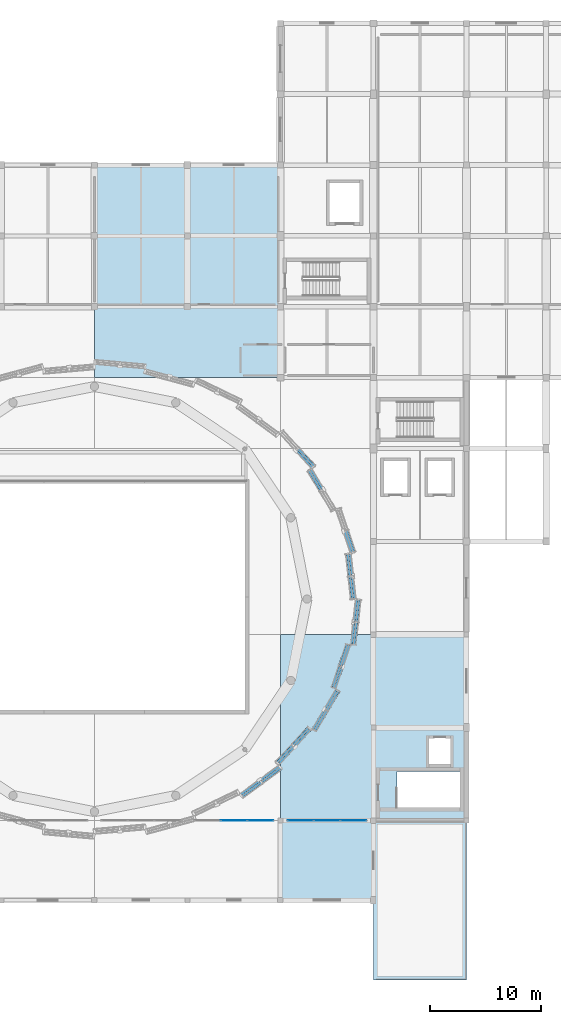
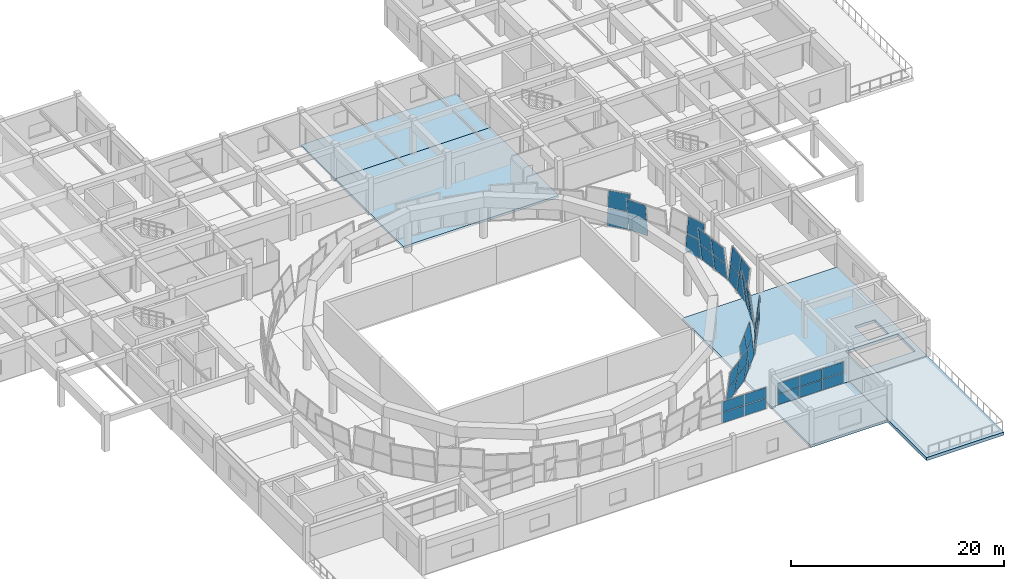
# One storey, part 26 of 40: 40 plates, 5 slabs, 11 elements without a shape of their own.
"""IFC4 building model written with IfcOpenShell, lengths in metres."""

from ifc_helpers import new_model, si_unit, direction, frame, origin, origin_2d, place, context, subcontext, project, spatial, polyline, rectangle, outline, extrude, material, layer, layer_set, type_object, element, aggregate, save


model = new_model("IFC4")

# Units and contexts
model_context = context("Model", 3, precision=1e-05, world=origin(), true_north=direction((0.0, 1.0)))
body_context = subcontext(model_context, "Body", "Model", "MODEL_VIEW")
ifc_project = project(units=[si_unit("LENGTHUNIT", "METRE"), si_unit("AREAUNIT", "SQUARE_METRE"), si_unit("VOLUMEUNIT", "CUBIC_METRE"), si_unit("PLANEANGLEUNIT", "RADIAN"), si_unit("MASSUNIT", "GRAM", prefix="KILO")], contexts=[model_context])

# Site, building, storey
site_placement = place(None, origin())
site = spatial("IfcSite", under=ifc_project, at=site_placement, CompositionType="ELEMENT")
building_placement = place(site_placement, origin())
building = spatial("IfcBuilding", under=site, at=building_placement, Name="Korsvaeld Concert Hall", CompositionType="ELEMENT")
storey_placement = place(building_placement, frame((0.0, 0.0, 13.199951171875)))
storey = spatial("IfcBuildingStorey", under=building, at=storey_placement, Name="L03", CompositionType="ELEMENT", Elevation=13.199951171875)

# Curtain wall, plates
ifc_material_1 = material(Name="Anodised bronze and ceramic-fritted safety glass", Category="glass")
curtain_wall_type_1 = type_object("IfcCurtainWallType", Name="CW-TYPE-09", PredefinedType="USERDEFINED", material=ifc_material_1)
curtain_wall_1_placement = place(storey_placement, origin())
curtain_wall_1 = element("IfcCurtainWall", 1, at=curtain_wall_1_placement, inside=storey, type_object=curtain_wall_type_1, Name="Glazed foyer acoustic screen L03-41", ObjectType="CURTAIN WALL", PredefinedType="USERDEFINED")
ifc_material_2 = material(Name="Clear acoustic triple safety glazing", Category="glass")
ifc_layer_1 = layer(ifc_material_2, 0.0439453125)
ifc_layer_set_1 = layer_set([ifc_layer_1], Name="Clear acoustic triple safety glazing")
plate_type_1 = type_object("IfcPlateType", Name="CWP-CLEAR-44", PredefinedType="CURTAIN_PANEL", material=ifc_layer_set_1)
plate_1_placement = place(storey_placement, frame((96.60009765625, 43.199951171875, 0.06005859375), z_axis=(0.0, 0.0, 1.0), x_axis=(1.0, 0.0, 0.0)))
plate_1 = element("IfcPlate", 2, at=plate_1_placement, type_object=plate_type_1, Name="CW-09 panel 2.1", PredefinedType="CURTAIN_PANEL", context=body_context, shape_type="SweptSolid", body=[
    extrude(rectangle(XDim=2.340087890625, YDim=0.0439453125, at=origin_2d()), origin(), (0.0, 0.0, 1.0), 1.18505859375),
])
plate_2_placement = place(storey_placement, frame((96.60009765625, 43.199951171875, 1.304931640625), z_axis=(0.0, 0.0, 1.0), x_axis=(1.0, 0.0, 0.0)))
plate_2 = element("IfcPlate", 3, at=plate_2_placement, type_object=plate_type_1, Name="CW-09 panel 2.2", PredefinedType="CURTAIN_PANEL", context=body_context, shape_type="SweptSolid", body=[
    extrude(rectangle(XDim=2.340087890625, YDim=0.0439453125, at=origin_2d()), origin(), (0.0, 0.0, 1.0), 1.18505859375),
])
plate_3_placement = place(storey_placement, frame((98.985107421875, 43.199951171875, 0.06005859375), z_axis=(0.0, 0.0, 1.0), x_axis=(1.0, 0.0, 0.0)))
plate_3 = element("IfcPlate", 4, at=plate_3_placement, type_object=plate_type_1, Name="CW-09 panel 3.1", PredefinedType="CURTAIN_PANEL", context=body_context, shape_type="SweptSolid", body=[
    extrude(rectangle(XDim=2.31005859375, YDim=0.0439453125, at=origin_2d()), origin(), (0.0, 0.0, 1.0), 1.18505859375),
])
plate_4_placement = place(storey_placement, frame((98.985107421875, 43.199951171875, 1.304931640625), z_axis=(0.0, 0.0, 1.0), x_axis=(1.0, 0.0, 0.0)))
plate_4 = element("IfcPlate", 5, at=plate_4_placement, type_object=plate_type_1, Name="CW-09 panel 3.2", PredefinedType="CURTAIN_PANEL", context=body_context, shape_type="SweptSolid", body=[
    extrude(rectangle(XDim=2.31005859375, YDim=0.0439453125, at=origin_2d()), origin(), (0.0, 0.0, 1.0), 1.18505859375),
])
aggregate(curtain_wall_1, [plate_1, plate_2, plate_3, plate_4])

curtain_wall_type_2 = type_object("IfcCurtainWallType", Name="CW-TYPE-10", PredefinedType="USERDEFINED", material=ifc_material_1)
curtain_wall_2_placement = place(storey_placement, origin())
curtain_wall_2 = element("IfcCurtainWall", 6, at=curtain_wall_2_placement, inside=storey, type_object=curtain_wall_type_2, Name="Glazed foyer acoustic screen L03-42", ObjectType="CURTAIN WALL", PredefinedType="USERDEFINED")
plate_5_placement = place(storey_placement, frame((102.614990234375, 43.199951171875, 0.06005859375), z_axis=(0.0, 0.0, 1.0), x_axis=(1.0, 0.0, 0.0)))
plate_5 = element("IfcPlate", 7, at=plate_5_placement, type_object=plate_type_1, Name="CW-10 panel 1.1", PredefinedType="CURTAIN_PANEL", context=body_context, shape_type="SweptSolid", body=[
    extrude(rectangle(XDim=2.31005859375, YDim=0.0439453125, at=origin_2d()), origin(), (0.0, 0.0, 1.0), 1.18505859375),
])
plate_6_placement = place(storey_placement, frame((102.614990234375, 43.199951171875, 1.304931640625), z_axis=(0.0, 0.0, 1.0), x_axis=(1.0, 0.0, 0.0)))
plate_6 = element("IfcPlate", 8, at=plate_6_placement, type_object=plate_type_1, Name="CW-10 panel 1.2", PredefinedType="CURTAIN_PANEL", context=body_context, shape_type="SweptSolid", body=[
    extrude(rectangle(XDim=2.31005859375, YDim=0.0439453125, at=origin_2d()), origin(), (0.0, 0.0, 1.0), 1.18505859375),
])
plate_7_placement = place(storey_placement, frame((105.0, 43.199951171875, 0.06005859375), z_axis=(0.0, 0.0, 1.0), x_axis=(1.0, 0.0, 0.0)))
plate_7 = element("IfcPlate", 9, at=plate_7_placement, type_object=plate_type_1, Name="CW-10 panel 2.1", PredefinedType="CURTAIN_PANEL", context=body_context, shape_type="SweptSolid", body=[
    extrude(rectangle(XDim=2.340087890625, YDim=0.0439453125, at=origin_2d()), origin(), (0.0, 0.0, 1.0), 1.18505859375),
])
plate_8_placement = place(storey_placement, frame((105.0, 43.199951171875, 1.304931640625), z_axis=(0.0, 0.0, 1.0), x_axis=(1.0, 0.0, 0.0)))
plate_8 = element("IfcPlate", 10, at=plate_8_placement, type_object=plate_type_1, Name="CW-10 panel 2.2", PredefinedType="CURTAIN_PANEL", context=body_context, shape_type="SweptSolid", body=[
    extrude(rectangle(XDim=2.340087890625, YDim=0.0439453125, at=origin_2d()), origin(), (0.0, 0.0, 1.0), 1.18505859375),
])
plate_9_placement = place(storey_placement, frame((107.385009765625, 43.199951171875, 0.06005859375), z_axis=(0.0, 0.0, 1.0), x_axis=(1.0, 0.0, 0.0)))
plate_9 = element("IfcPlate", 11, at=plate_9_placement, type_object=plate_type_1, Name="CW-10 panel 3.1", PredefinedType="CURTAIN_PANEL", context=body_context, shape_type="SweptSolid", body=[
    extrude(rectangle(XDim=2.31005859375, YDim=0.0439453125, at=origin_2d()), origin(), (0.0, 0.0, 1.0), 1.18505859375),
])
plate_10_placement = place(storey_placement, frame((107.385009765625, 43.199951171875, 1.304931640625), z_axis=(0.0, 0.0, 1.0), x_axis=(1.0, 0.0, 0.0)))
plate_10 = element("IfcPlate", 12, at=plate_10_placement, type_object=plate_type_1, Name="CW-10 panel 3.2", PredefinedType="CURTAIN_PANEL", context=body_context, shape_type="SweptSolid", body=[
    extrude(rectangle(XDim=2.31005859375, YDim=0.0439453125, at=origin_2d()), origin(), (0.0, 0.0, 1.0), 1.18505859375),
])
aggregate(curtain_wall_2, [plate_5, plate_6, plate_7, plate_8, plate_9, plate_10])

curtain_wall_type_3 = type_object("IfcCurtainWallType", Name="CW-TYPE-01", PredefinedType="USERDEFINED", material=ifc_material_1)
curtain_wall_3_placement = place(storey_placement, origin())
curtain_wall_3 = element("IfcCurtainWall", 13, at=curtain_wall_3_placement, inside=storey, type_object=curtain_wall_type_3, Name="Crystal curtain-wall facet L03 F01", ObjectType="CURTAIN WALL", PredefinedType="USERDEFINED")
ifc_material_3 = material(Name="Translucent ceramic-fritted crystal safety glass", Category="glass")
ifc_layer_2 = layer(ifc_material_3, 0.035888671875)
ifc_layer_set_2 = layer_set([ifc_layer_2], Name="Translucent ceramic-fritted crystal safety glass")
plate_type_2 = type_object("IfcPlateType", Name="CWP-CRYSTAL-36", PredefinedType="CURTAIN_PANEL", material=ifc_layer_set_2)
plate_11_placement = place(storey_placement, frame((107.5849609375, 63.27392578125, 0.06005859375), z_axis=(0.987662711113, 0.108233632097, 0.113171771918), x_axis=(-0.108933482058, 0.994049041289, 0.0)))
plate_11 = element("IfcPlate", 14, at=plate_11_placement, type_object=plate_type_2, Name="CW-CRYS-L03-F01 ceramic-fritted crystal panel 1.1", PredefinedType="CURTAIN_PANEL", context=body_context, shape_type="SweptSolid", body=[
    extrude(outline(polyline([(0.0, 0.0), (1.967764774426495, 0.0), (1.972192281123818, 1.8620605807949135), (0.004427506697322853, 1.8620605807949135), (0.0, 0.0)])), frame((0.0, 0.0, 0.01806640625)), (0.0, 0.0, -1.0), 0.035888671875),
])
plate_12_placement = place(storey_placement, frame((107.3681640625, 63.2548828125, 1.969970703125), z_axis=(0.987662642461, 0.108226870525, 0.113178837175), x_axis=(-0.108926851037, 0.99404976793, 7.59866e-07)))
plate_12 = element("IfcPlate", 15, at=plate_12_placement, type_object=plate_type_2, Name="CW-CRYS-L03-F01 ceramic-fritted crystal panel 1.2", PredefinedType="CURTAIN_PANEL", context=body_context, shape_type="SweptSolid", body=[
    extrude(outline(polyline([(0.0, 0.0), (1.9677647743821456, 0.0), (1.972192281168267, 1.8620605807478352), (0.0041848188544976635, 1.8620635907490142), (0.0, 0.0)])), frame((0.0, 0.0, 0.01806640625)), (0.0, 0.0, -1.0), 0.035888671875),
])
plate_13_placement = place(storey_placement, frame((107.3623046875, 65.3046875, 0.06005859375), z_axis=(0.987662711113, 0.108233632097, 0.113171771918), x_axis=(-0.108933482058, 0.994049041289, 0.0)))
plate_13 = element("IfcPlate", 16, at=plate_13_placement, type_object=plate_type_2, Name="CW-CRYS-L03-F01 ceramic-fritted crystal panel 2.1", PredefinedType="CURTAIN_PANEL", context=body_context, shape_type="SweptSolid", body=[
    extrude(outline(polyline([(0.0, 0.0), (1.967764774426495, 0.0), (1.972192281123818, 1.8620605807949135), (0.004427506697322853, 1.8620605807949135), (0.0, 0.0)])), frame((0.0, 0.0, 0.01806640625)), (0.0, 0.0, -1.0), 0.035888671875),
])
plate_14_placement = place(storey_placement, frame((107.1455078125, 65.285400390625, 1.969970703125), z_axis=(0.987662711113, 0.108233632097, 0.113171771918), x_axis=(-0.108933482058, 0.994049041289, 0.0)))
plate_14 = element("IfcPlate", 17, at=plate_14_placement, type_object=plate_type_2, Name="CW-CRYS-L03-F01 ceramic-fritted crystal panel 2.2", PredefinedType="CURTAIN_PANEL", context=body_context, shape_type="SweptSolid", body=[
    extrude(outline(polyline([(0.0, 0.0), (1.967764774426495, 0.0), (1.972192281123818, 1.8620605807949135), (0.004427506697322853, 1.8620605807949135), (0.0, 0.0)])), frame((0.0, 0.0, 0.01806640625)), (0.0, 0.0, -1.0), 0.035888671875),
])
aggregate(curtain_wall_3, [plate_11, plate_12, plate_13, plate_14])

curtain_wall_type_4 = type_object("IfcCurtainWallType", Name="CW-TYPE-02", PredefinedType="USERDEFINED", material=ifc_material_1)
curtain_wall_4_placement = place(storey_placement, origin())
curtain_wall_4 = element("IfcCurtainWall", 18, at=curtain_wall_4_placement, inside=storey, type_object=curtain_wall_type_4, Name="Crystal curtain-wall facet L03 F02", ObjectType="CURTAIN WALL", PredefinedType="USERDEFINED")
plate_15_placement = place(storey_placement, frame((107.129150390625, 67.40869140625, 0.06005859375), z_axis=(0.941378575992, 0.317863332898, -0.113001231244), x_axis=(-0.319912420616, 0.947447118912, 0.0)))
plate_15 = element("IfcPlate", 19, at=plate_15_placement, type_object=plate_type_2, Name="CW-CRYS-L03-F02 ceramic-fritted crystal panel 1.1", PredefinedType="CURTAIN_PANEL", context=body_context, shape_type="SweptSolid", body=[
    extrude(outline(polyline([(0.0, 0.0), (1.9864750660546802, 1.3877787807814457e-17), (1.9739221973095524, 1.862024204527748), (-0.012552868745127732, 1.862024204527748), (0.0, 0.0)])), frame((0.0, 0.0, 0.01806640625)), (0.0, 0.0, -1.0), 0.035888671875),
])
plate_16_placement = place(storey_placement, frame((107.339111328125, 67.466064453125, 1.969970703125), z_axis=(0.941366104364, 0.317900359323, -0.113000969451), x_axis=(-0.319949676143, 0.947434538497, 0.0)))
plate_16 = element("IfcPlate", 20, at=plate_16_placement, type_object=plate_type_2, Name="CW-CRYS-L03-F02 ceramic-fritted crystal panel 1.2", PredefinedType="CURTAIN_PANEL", context=body_context, shape_type="SweptSolid", body=[
    extrude(outline(polyline([(0.0, 0.0), (1.9862437572585203, 0.0), (1.9736826146833244, 1.8620241487311948), (-0.012561142575196048, 1.8620241487311948), (0.0, 0.0)])), frame((0.0, 0.0, 0.01806640625)), (0.0, 0.0, -1.0), 0.035888671875),
])
aggregate(curtain_wall_4, [plate_15, plate_16])

curtain_wall_type_5 = type_object("IfcCurtainWallType", Name="CW-TYPE-03", PredefinedType="USERDEFINED", material=ifc_material_1)
curtain_wall_5_placement = place(storey_placement, origin())
curtain_wall_5 = element("IfcCurtainWall", 21, at=curtain_wall_5_placement, inside=storey, type_object=curtain_wall_type_5, Name="Crystal curtain-wall facet L03 F03", ObjectType="CURTAIN WALL", PredefinedType="USERDEFINED")
plate_17_placement = place(storey_placement, frame((104.687744140625, 73.1748046875, 0.06005859375), z_axis=(0.853874694268, 0.508121495281, 0.11274108622), x_axis=(-0.511381861684, 0.859353589357, 0.0)))
plate_17 = element("IfcPlate", 22, at=plate_17_placement, type_object=plate_type_2, Name="CW-CRYS-L03-F03 ceramic-fritted crystal panel 2.1", PredefinedType="CURTAIN_PANEL", context=body_context, shape_type="SweptSolid", body=[
    extrude(outline(polyline([(0.0, 0.0), (2.0199366887482033, 2.7755575615628914e-17), (2.0386029109089057, 1.8619688254406463), (0.018666222160702132, 1.8619688254406463), (0.0, 0.0)])), frame((0.0, 0.0, 0.01806640625)), (0.0, 0.0, -1.0), 0.035888671875),
])
plate_18_placement = place(storey_placement, frame((104.49169921875, 73.08056640625, 1.969970703125), z_axis=(0.853914504774, 0.508049407558, 0.112764435958), x_axis=(-0.511311580092, 0.859395408399, 9.281327e-06)))
plate_18 = element("IfcPlate", 23, at=plate_18_placement, type_object=plate_type_2, Name="CW-CRYS-L03-F03 ceramic-fritted crystal panel 2.2", PredefinedType="CURTAIN_PANEL", context=body_context, shape_type="SweptSolid", body=[
    extrude(outline(polyline([(0.0, 0.0), (2.019936681906196, -1.3877787807814457e-17), (2.0388127209372526, 1.8619547463895518), (0.018791057627661603, 1.8619924832573516), (0.0, 0.0)])), frame((0.0, 0.0, 0.01806640625)), (0.0, 0.0, -1.0), 0.035888671875),
])
aggregate(curtain_wall_5, [plate_17, plate_18])

curtain_wall_type_6 = type_object("IfcCurtainWallType", Name="CW-TYPE-04", PredefinedType="USERDEFINED", material=ifc_material_1)
curtain_wall_6_placement = place(storey_placement, origin())
curtain_wall_6 = element("IfcCurtainWall", 24, at=curtain_wall_6_placement, inside=storey, type_object=curtain_wall_type_6, Name="Crystal curtain-wall facet L03 F04", ObjectType="CURTAIN WALL", PredefinedType="USERDEFINED")
plate_19_placement = place(storey_placement, frame((103.57763671875, 75.03759765625, 0.06005859375), z_axis=(0.733586029487, 0.670210028542, -0.112561338758), x_axis=(-0.674496604142, 0.738277949692, 0.0)))
plate_19 = element("IfcPlate", 25, at=plate_19_placement, type_object=plate_type_2, Name="CW-CRYS-L03-F04 ceramic-fritted crystal panel 1.1", PredefinedType="CURTAIN_PANEL", context=body_context, shape_type="SweptSolid", body=[
    extrude(outline(polyline([(0.0, 0.0), (2.0631705985682665, 0.0), (2.0410082866452655, 1.861930638647585), (-0.02216231192300118, 1.861930638647585), (0.0, 0.0)])), frame((0.0, 0.0, 0.01806640625)), (0.0, 0.0, -1.0), 0.035888671875),
])
plate_20_placement = place(storey_placement, frame((103.752685546875, 75.166748046875, 1.969970703125), z_axis=(0.733586029487, 0.670210028542, -0.112561338758), x_axis=(-0.674496604142, 0.738277949692, 0.0)))
plate_20 = element("IfcPlate", 26, at=plate_20_placement, type_object=plate_type_2, Name="CW-CRYS-L03-F04 ceramic-fritted crystal panel 1.2", PredefinedType="CURTAIN_PANEL", context=body_context, shape_type="SweptSolid", body=[
    extrude(outline(polyline([(0.0, 0.0), (2.0631705985682665, 0.0), (2.0410082866452655, 1.861930638647585), (-0.02216231192300118, 1.861930638647585), (0.0, 0.0)])), frame((0.0, 0.0, 0.01806640625)), (0.0, 0.0, -1.0), 0.035888671875),
])
aggregate(curtain_wall_6, [plate_19, plate_20])

curtain_wall_7_placement = place(storey_placement, origin())
curtain_wall_7 = element("IfcCurtainWall", 27, at=curtain_wall_7_placement, inside=storey, type_object=curtain_wall_type_6, Name="Crystal curtain-wall facet L03 F28", ObjectType="CURTAIN WALL", PredefinedType="USERDEFINED")
plate_21_placement = place(storey_placement, frame((97.176513671875, 45.6123046875, 0.06005859375), z_axis=(0.589669995592, -0.799761139052, -0.112567387646), x_axis=(0.804877211976, 0.593441381785, 5.210927e-06)))
plate_21 = element("IfcPlate", 28, at=plate_21_placement, type_object=plate_type_2, Name="CW-CRYS-L03-F28 ceramic-fritted crystal panel 1.1", PredefinedType="CURTAIN_PANEL", context=body_context, shape_type="SweptSolid", body=[
    extrude(outline(polyline([(0.0, 0.0), (2.108957953588313, 1.3877787807814457e-17), (2.1310419051459903, 1.8619207469752996), (0.021939068407827573, 1.8619428675802447), (0.0, 0.0)])), frame((0.0, 0.0, 0.01806640625)), (0.0, 0.0, -1.0), 0.035888671875),
])
plate_22_placement = place(storey_placement, frame((97.3232421875, 45.45166015625, 1.969970703125), z_axis=(0.589599242948, -0.799800689785, -0.112656954223), x_axis=(0.804924629662, 0.593377064395, -3.844652e-06)))
plate_22 = element("IfcPlate", 29, at=plate_22_placement, type_object=plate_type_2, Name="CW-CRYS-L03-F28 ceramic-fritted crystal panel 1.2", PredefinedType="CURTAIN_PANEL", context=body_context, shape_type="SweptSolid", body=[
    extrude(outline(polyline([(0.0, 0.0), (2.108957954619865, 0.0), (2.1310935398822286, 1.8619591898005718), (0.02193907046020034, 1.8619428687244644), (0.0, 0.0)])), frame((0.0, 0.0, 0.01806640625)), (0.0, 0.0, -1.0), 0.035888671875),
])
plate_23_placement = place(storey_placement, frame((98.934326171875, 46.908203125, 0.06005859375), z_axis=(0.589631110409, -0.799786404735, -0.112591564685), x_axis=(0.804904507896, 0.593404358906, 0.0)))
plate_23 = element("IfcPlate", 30, at=plate_23_placement, type_object=plate_type_2, Name="CW-CRYS-L03-F28 ceramic-fritted crystal panel 2.1", PredefinedType="CURTAIN_PANEL", context=body_context, shape_type="SweptSolid", body=[
    extrude(outline(polyline([(0.0, 0.0), (2.1089579558479716, 0.0), (2.1312384127522934, 1.861937055626695), (0.02228045690432168, 1.861937055626695), (0.0, 0.0)])), frame((0.0, 0.0, 0.01806640625)), (0.0, 0.0, -1.0), 0.035888671875),
])
plate_24_placement = place(storey_placement, frame((99.0810546875, 46.74755859375, 1.969970703125), z_axis=(0.589606250178, -0.799810195203, -0.112552749416), x_axis=(0.804925146467, 0.59337636334, 3.840784e-06)))
plate_24 = element("IfcPlate", 31, at=plate_24_placement, type_object=plate_type_2, Name="CW-CRYS-L03-F28 ceramic-fritted crystal panel 2.2", PredefinedType="CURTAIN_PANEL", context=body_context, shape_type="SweptSolid", body=[
    extrude(outline(polyline([(0.0, 0.0), (2.109154469485147, -2.7755575615628914e-17), (2.131252808658941, 1.8619205774388161), (0.02229485410213064, 1.8619368818990785), (0.0, 0.0)])), frame((0.0, 0.0, 0.01806640625)), (0.0, 0.0, -1.0), 0.035888671875),
])
aggregate(curtain_wall_7, [plate_21, plate_22, plate_23, plate_24])

curtain_wall_type_7 = type_object("IfcCurtainWallType", Name="CW-TYPE-05", PredefinedType="USERDEFINED", material=ifc_material_1)
curtain_wall_8_placement = place(storey_placement, origin())
curtain_wall_8 = element("IfcCurtainWall", 32, at=curtain_wall_8_placement, inside=storey, type_object=curtain_wall_type_7, Name="Crystal curtain-wall facet L03 F29", ObjectType="CURTAIN WALL", PredefinedType="USERDEFINED")
plate_25_placement = place(storey_placement, frame((100.732666015625, 48.268798828125, 0.06005859375), z_axis=(0.733560792883, -0.670245760511, 0.112513037746), x_axis=(0.674529259268, 0.738248114367, -4.882916e-06)))
plate_25 = element("IfcPlate", 33, at=plate_25_placement, type_object=plate_type_2, Name="CW-CRYS-L03-F29 ceramic-fritted crystal panel 1.1", PredefinedType="CURTAIN_PANEL", context=body_context, shape_type="SweptSolid", body=[
    extrude(outline(polyline([(0.0, 0.0), (2.063335276520309, 1.3877787807814457e-17), (2.0411546604632567, 1.8619304185326642), (-0.022015936062113606, 1.8619101403917453), (0.0, 0.0)])), frame((0.0, 0.0, 0.01806640625)), (0.0, 0.0, -1.0), 0.035888671875),
])
plate_26_placement = place(storey_placement, frame((100.5576171875, 48.39794921875, 1.969970703125), z_axis=(0.733586029487, -0.670210028542, 0.112561338758), x_axis=(0.674496604142, 0.738277949692, 0.0)))
plate_26 = element("IfcPlate", 34, at=plate_26_placement, type_object=plate_type_2, Name="CW-CRYS-L03-F29 ceramic-fritted crystal panel 1.2", PredefinedType="CURTAIN_PANEL", context=body_context, shape_type="SweptSolid", body=[
    extrude(outline(polyline([(0.0, 0.0), (2.0631705985682665, 0.0), (2.0410082866452655, 1.861930638647585), (-0.02216231192300118, 1.861930638647585), (0.0, 0.0)])), frame((0.0, 0.0, 0.01806640625)), (0.0, 0.0, -1.0), 0.035888671875),
])
plate_27_placement = place(storey_placement, frame((102.175048828125, 49.847412109375, 0.06005859375), z_axis=(0.733586029487, -0.670210028542, 0.112561338758), x_axis=(0.674496604142, 0.738277949692, 0.0)))
plate_27 = element("IfcPlate", 35, at=plate_27_placement, type_object=plate_type_2, Name="CW-CRYS-L03-F29 ceramic-fritted crystal panel 2.1", PredefinedType="CURTAIN_PANEL", context=body_context, shape_type="SweptSolid", body=[
    extrude(outline(polyline([(0.0, 0.0), (2.0631705985682665, 0.0), (2.0410082866452655, 1.861930638647585), (-0.02216231192300118, 1.861930638647585), (0.0, 0.0)])), frame((0.0, 0.0, 0.01806640625)), (0.0, 0.0, -1.0), 0.035888671875),
])
plate_28_placement = place(storey_placement, frame((101.999755859375, 49.9765625, 1.969970703125), z_axis=(0.733586029487, -0.670210028542, 0.112561338758), x_axis=(0.674496604142, 0.738277949692, 0.0)))
plate_28 = element("IfcPlate", 36, at=plate_28_placement, type_object=plate_type_2, Name="CW-CRYS-L03-F29 ceramic-fritted crystal panel 2.2", PredefinedType="CURTAIN_PANEL", context=body_context, shape_type="SweptSolid", body=[
    extrude(outline(polyline([(0.0, 0.0), (2.0631705985682665, 0.0), (2.0410082866452655, 1.861930638647585), (-0.02216231192300118, 1.861930638647585), (0.0, 0.0)])), frame((0.0, 0.0, 0.01806640625)), (0.0, 0.0, -1.0), 0.035888671875),
])
aggregate(curtain_wall_8, [plate_25, plate_26, plate_27, plate_28])

curtain_wall_type_8 = type_object("IfcCurtainWallType", Name="CW-TYPE-06", PredefinedType="USERDEFINED", material=ifc_material_1)
curtain_wall_9_placement = place(storey_placement, origin())
curtain_wall_9 = element("IfcCurtainWall", 37, at=curtain_wall_9_placement, inside=storey, type_object=curtain_wall_type_8, Name="Crystal curtain-wall facet L03 F30", ObjectType="CURTAIN WALL", PredefinedType="USERDEFINED")
plate_29_placement = place(storey_placement, frame((103.667236328125, 51.4833984375, 0.06005859375), z_axis=(0.853893593206, -0.508097010457, -0.112708293603), x_axis=(0.511355642528, 0.859369191234, 3.460787e-06)))
plate_29 = element("IfcPlate", 38, at=plate_29_placement, type_object=plate_type_2, Name="CW-CRYS-L03-F30 ceramic-fritted crystal panel 1.1", PredefinedType="CURTAIN_PANEL", context=body_context, shape_type="SweptSolid", body=[
    extrude(outline(polyline([(0.0, 0.0), (2.0199366877959646, 1.3877787807814457e-17), (2.0388127149924435, 1.8619547528990286), (0.018666220265025214, 1.8619688244266253), (0.0, 0.0)])), frame((0.0, 0.0, 0.01806640625)), (0.0, 0.0, -1.0), 0.035888671875),
])
plate_30_placement = place(storey_placement, frame((103.86328125, 51.38916015625, 1.969970703125), z_axis=(0.85388274351, -0.508090554503, -0.112819540684), x_axis=(0.511355643194, 0.859369190838, 3.464158e-06)))
plate_30 = element("IfcPlate", 39, at=plate_30_placement, type_object=plate_type_2, Name="CW-CRYS-L03-F30 ceramic-fritted crystal panel 1.2", PredefinedType="CURTAIN_PANEL", context=body_context, shape_type="SweptSolid", body=[
    extrude(outline(polyline([(0.0, 0.0), (2.019936687795989, 1.3877787807814457e-17), (2.038937564079803, 1.8619784041117298), (0.01879106935245732, 1.861992489528423), (0.0, 0.0)])), frame((0.0, 0.0, 0.01806640625)), (0.0, 0.0, -1.0), 0.035888671875),
])
plate_31_placement = place(storey_placement, frame((104.738525390625, 53.28369140625, 0.06005859375), z_axis=(0.853893593206, -0.508097010457, -0.112708293603), x_axis=(0.511354967854, 0.85936959269, -3.460427e-06)))
plate_31 = element("IfcPlate", 40, at=plate_31_placement, type_object=plate_type_2, Name="CW-CRYS-L03-F30 ceramic-fritted crystal panel 2.1", PredefinedType="CURTAIN_PANEL", context=body_context, shape_type="SweptSolid", body=[
    extrude(outline(polyline([(0.0, 0.0), (2.020146494776427, 1.3877787807814457e-17), (2.0387997453154054, 1.8619689544028337), (0.018863057568443344, 1.861954884336668), (0.0, 0.0)])), frame((0.0, 0.0, 0.01806640625)), (0.0, 0.0, -1.0), 0.035888671875),
])
plate_32_placement = place(storey_placement, frame((104.9345703125, 53.189453125, 1.969970703125), z_axis=(0.85388274351, -0.508090554503, -0.112819540684), x_axis=(0.511354967188, 0.859369593086, -3.463799e-06)))
plate_32 = element("IfcPlate", 41, at=plate_32_placement, type_object=plate_type_2, Name="CW-CRYS-L03-F30 ceramic-fritted crystal panel 2.2", PredefinedType="CURTAIN_PANEL", context=body_context, shape_type="SweptSolid", body=[
    extrude(outline(polyline([(0.0, 0.0), (2.0201464947764514, 0.0), (2.038924581436274, 1.8619926205033843), (0.018987893689385096, 1.8619785365495645), (0.0, 0.0)])), frame((0.0, 0.0, 0.01806640625)), (0.0, 0.0, -1.0), 0.035888671875),
])
aggregate(curtain_wall_9, [plate_29, plate_30, plate_31, plate_32])

curtain_wall_type_9 = type_object("IfcCurtainWallType", Name="CW-TYPE-07", PredefinedType="USERDEFINED", material=ifc_material_1)
curtain_wall_10_placement = place(storey_placement, origin())
curtain_wall_10 = element("IfcCurtainWall", 42, at=curtain_wall_10_placement, inside=storey, type_object=curtain_wall_type_9, Name="Crystal curtain-wall facet L03 F31", ObjectType="CURTAIN WALL", PredefinedType="USERDEFINED")
plate_33_placement = place(storey_placement, frame((105.821044921875, 55.159912109375, 0.06005859375), z_axis=(0.941366104364, -0.317900359323, 0.113000969451), x_axis=(0.319949676143, 0.947434538497, 0.0)))
plate_33 = element("IfcPlate", 43, at=plate_33_placement, type_object=plate_type_2, Name="CW-CRYS-L03-F31 ceramic-fritted crystal panel 1.1", PredefinedType="CURTAIN_PANEL", context=body_context, shape_type="SweptSolid", body=[
    extrude(outline(polyline([(0.0, 0.0), (1.9862437572585203, 0.0), (1.9736826146833244, 1.8620241487311948), (-0.012561142575196048, 1.8620241487311948), (0.0, 0.0)])), frame((0.0, 0.0, 0.01806640625)), (0.0, 0.0, -1.0), 0.035888671875),
])
plate_34_placement = place(storey_placement, frame((105.611083984375, 55.21728515625, 1.969970703125), z_axis=(0.941366104364, -0.317900359323, 0.113000969451), x_axis=(0.319949676143, 0.947434538497, 0.0)))
plate_34 = element("IfcPlate", 44, at=plate_34_placement, type_object=plate_type_2, Name="CW-CRYS-L03-F31 ceramic-fritted crystal panel 1.2", PredefinedType="CURTAIN_PANEL", context=body_context, shape_type="SweptSolid", body=[
    extrude(outline(polyline([(0.0, 0.0), (1.9862437572585203, 0.0), (1.9736826146833244, 1.8620241487311948), (-0.012561142575196048, 1.8620241487311948), (0.0, 0.0)])), frame((0.0, 0.0, 0.01806640625)), (0.0, 0.0, -1.0), 0.035888671875),
])
plate_35_placement = place(storey_placement, frame((106.48046875, 57.113037109375, 0.06005859375), z_axis=(0.941366104364, -0.317900359323, 0.113000969451), x_axis=(0.319949676143, 0.947434538497, 0.0)))
plate_35 = element("IfcPlate", 45, at=plate_35_placement, type_object=plate_type_2, Name="CW-CRYS-L03-F31 ceramic-fritted crystal panel 2.1", PredefinedType="CURTAIN_PANEL", context=body_context, shape_type="SweptSolid", body=[
    extrude(outline(polyline([(0.0, 0.0), (1.9862437572585203, 0.0), (1.9736826146833244, 1.8620241487311948), (-0.012561142575196048, 1.8620241487311948), (0.0, 0.0)])), frame((0.0, 0.0, 0.01806640625)), (0.0, 0.0, -1.0), 0.035888671875),
])
plate_36_placement = place(storey_placement, frame((106.2705078125, 57.170166015625, 1.969970703125), z_axis=(0.941366104364, -0.317900359323, 0.113000969451), x_axis=(0.319949676143, 0.947434538497, 0.0)))
plate_36 = element("IfcPlate", 46, at=plate_36_placement, type_object=plate_type_2, Name="CW-CRYS-L03-F31 ceramic-fritted crystal panel 2.2", PredefinedType="CURTAIN_PANEL", context=body_context, shape_type="SweptSolid", body=[
    extrude(outline(polyline([(0.0, 0.0), (1.9862437572585203, 0.0), (1.9736826146833244, 1.8620241487311948), (-0.012561142575196048, 1.8620241487311948), (0.0, 0.0)])), frame((0.0, 0.0, 0.01806640625)), (0.0, 0.0, -1.0), 0.035888671875),
])
aggregate(curtain_wall_10, [plate_33, plate_34, plate_35, plate_36])

curtain_wall_type_10 = type_object("IfcCurtainWallType", Name="CW-TYPE-08", PredefinedType="USERDEFINED", material=ifc_material_1)
curtain_wall_11_placement = place(storey_placement, origin())
curtain_wall_11 = element("IfcCurtainWall", 47, at=curtain_wall_11_placement, inside=storey, type_object=curtain_wall_type_10, Name="Crystal curtain-wall facet L03 F32", ObjectType="CURTAIN WALL", PredefinedType="USERDEFINED")
plate_37_placement = place(storey_placement, frame((107.161376953125, 59.137939453125, 0.06005859375), z_axis=(0.987650850226, -0.108342081287, -0.113171513509), x_axis=(0.109042629262, 0.99403707426, 0.0)))
plate_37 = element("IfcPlate", 48, at=plate_37_placement, type_object=plate_type_2, Name="CW-CRYS-L03-F32 ceramic-fritted crystal panel 1.1", PredefinedType="CURTAIN_PANEL", context=body_context, shape_type="SweptSolid", body=[
    extrude(outline(polyline([(0.0, 0.0), (1.9680340691327352, -3.469446951953614e-18), (1.9724847145236928, 1.8620605256332161), (0.004450645390957637, 1.8620605256332161), (0.0, 0.0)])), frame((0.0, 0.0, 0.01806640625)), (0.0, 0.0, -1.0), 0.035888671875),
])
plate_38_placement = place(storey_placement, frame((107.378173828125, 59.118896484375, 1.969970703125), z_axis=(0.98764938802, -0.108355443344, -0.113171481577), x_axis=(0.10905607732, 0.99403559896, 0.0)))
plate_38 = element("IfcPlate", 49, at=plate_38_placement, type_object=plate_type_2, Name="CW-CRYS-L03-F32 ceramic-fritted crystal panel 1.2", PredefinedType="CURTAIN_PANEL", context=body_context, shape_type="SweptSolid", body=[
    extrude(outline(polyline([(0.0, 0.0), (1.9677913844802313, 3.469446951953614e-18), (1.97224488081178, 1.8620605188167947), (0.004453496331548846, 1.8620605188167947), (0.0, 0.0)])), frame((0.0, 0.0, 0.01806640625)), (0.0, 0.0, -1.0), 0.035888671875),
])
plate_39_placement = place(storey_placement, frame((107.384033203125, 61.168701171875, 0.06005859375), z_axis=(0.98764938802, -0.108355443344, -0.113171481577), x_axis=(0.10905607732, 0.99403559896, 0.0)))
plate_39 = element("IfcPlate", 50, at=plate_39_placement, type_object=plate_type_2, Name="CW-CRYS-L03-F32 ceramic-fritted crystal panel 2.1", PredefinedType="CURTAIN_PANEL", context=body_context, shape_type="SweptSolid", body=[
    extrude(outline(polyline([(0.0, 0.0), (1.9677913844802313, 3.469446951953614e-18), (1.97224488081178, 1.8620605188167947), (0.004453496331548846, 1.8620605188167947), (0.0, 0.0)])), frame((0.0, 0.0, 0.01806640625)), (0.0, 0.0, -1.0), 0.035888671875),
])
plate_40_placement = place(storey_placement, frame((107.600830078125, 61.149658203125, 1.969970703125), z_axis=(0.987649320106, -0.108348674243, -0.113178554879), x_axis=(0.109049439015, 0.994036327229, 7.60709e-07)))
plate_40 = element("IfcPlate", 51, at=plate_40_placement, type_object=plate_type_2, Name="CW-CRYS-L03-F32 ceramic-fritted crystal panel 2.2", PredefinedType="CURTAIN_PANEL", context=body_context, shape_type="SweptSolid", body=[
    extrude(outline(polyline([(0.0, 0.0), (1.9677913844357826, 3.469446951953614e-18), (1.9722448808563293, 1.8620605187696093), (0.0042108117703443925, 1.8620635321507695), (0.0, 0.0)])), frame((0.0, 0.0, 0.01806640625)), (0.0, 0.0, -1.0), 0.035888671875),
])
aggregate(curtain_wall_11, [plate_37, plate_38, plate_39, plate_40])

# Slabs
ifc_material_4 = material(Name="Concrete C35/45", Category="concrete")
ifc_layer_3 = layer(ifc_material_4, 0.280029296875)
ifc_layer_set_3 = layer_set([ifc_layer_3], Name="Concrete C35/45")
slab_type_1 = type_object("IfcSlabType", Name="SLB-FOY-280", PredefinedType="FLOOR", material=ifc_layer_set_3)
slab_1_placement = place(storey_placement, frame((0.0, 0.0, -0.280029296875)))
element("IfcSlab", 52, at=slab_1_placement, inside=storey, type_object=slab_type_1, Name="Structural slab L03 V4_BELV_L03 4.1", PredefinedType="FLOOR", context=body_context, shape_type="SweptSolid", body=[
    extrude(outline(polyline([(100.800048828125, 36.0), (100.800048828125, 43.199951171875), (109.199951171875, 43.199951171875), (109.199951171875, 36.0), (100.800048828125, 36.0)])), origin(), (0.0, 0.0, 1.0), 0.280029296875),
])
ifc_layer_4 = layer(ifc_material_4, 0.320068359375)
ifc_layer_set_4 = layer_set([ifc_layer_4], Name="Concrete C35/45")
slab_type_2 = type_object("IfcSlabType", Name="SLB-HALL-320", PredefinedType="FLOOR", material=ifc_layer_set_4)
slab_2_placement = place(storey_placement, frame((0.0, 0.0, -0.320068359375)))
element("IfcSlab", 53, at=slab_2_placement, inside=storey, type_object=slab_type_2, Name="Structural slab L03 V1_L03 4.1", PredefinedType="FLOOR", context=body_context, shape_type="SweptSolid", body=[
    extrude(outline(polyline([(100.800048828125, 43.199951171875), (100.800048828125, 60.0), (117.60009765625, 60.0), (117.60009765625, 43.199951171875), (100.800048828125, 43.199951171875)]), holes=[polyline([(117.0048828125, 44.39501953125), (117.0048828125, 47.64501953125), (111.344970703125, 47.64501953125), (111.344970703125, 44.39501953125), (117.0048828125, 44.39501953125)]), polyline([(116.300048828125, 50.75), (114.10009765625, 50.75), (114.10009765625, 48.14990234375), (116.300048828125, 48.14990234375), (116.300048828125, 50.75)])]), origin(), (0.0, 0.0, 1.0), 0.320068359375),
])
ifc_layer_5 = layer(ifc_material_4, 0.360107421875)
ifc_layer_set_5 = layer_set([ifc_layer_5], Name="Concrete C35/45")
slab_type_3 = type_object("IfcSlabType", Name="SLB-TERR-360", PredefinedType="ROOF", material=ifc_layer_set_5)
slab_3_placement = place(storey_placement, frame((0.0, 0.0, -0.35986328125)))
element("IfcSlab", 54, at=slab_3_placement, inside=storey, type_object=slab_type_3, Name="South-East Belvedere Roof Garden", PredefinedType="ROOF", context=body_context, shape_type="SweptSolid", body=[
    extrude(outline(polyline([(117.60009765625, 28.800048828125), (117.60009765625, 43.199951171875), (109.199951171875, 43.199951171875), (109.199951171875, 28.800048828125), (117.60009765625, 28.800048828125)])), origin(), (0.0, 0.0, 1.0), 0.35986328125),
])
ifc_layer_6 = layer(ifc_material_4, 0.25)
ifc_layer_set_6 = layer_set([ifc_layer_6], Name="Concrete C35/45")
slab_type_4 = type_object("IfcSlabType", Name="SLB-WING-250", PredefinedType="FLOOR", material=ifc_layer_set_6)
slab_4_placement = place(storey_placement, frame((0.0, 0.0, -0.25)))
element("IfcSlab", 55, at=slab_4_placement, inside=storey, type_object=slab_type_4, Name="Structural slab L03 V5_L03_C 2.1", PredefinedType="FLOOR", context=body_context, shape_type="SweptSolid", body=[
    extrude(outline(polyline([(84.0, 83.199951171875), (84.0, 96.0), (100.800048828125, 96.0), (100.800048828125, 83.199951171875), (84.0, 83.199951171875)])), origin(), (0.0, 0.0, 1.0), 0.25),
])
slab_5_placement = place(storey_placement, frame((0.0, 0.0, -0.25)))
element("IfcSlab", 56, at=slab_5_placement, inside=storey, type_object=slab_type_4, Name="Structural slab L03 V5_L03_C 2.2", PredefinedType="FLOOR", context=body_context, shape_type="SweptSolid", body=[
    extrude(outline(polyline([(84.0, 96.0), (84.0, 102.39990234375), (100.800048828125, 102.39990234375), (100.800048828125, 96.0), (84.0, 96.0)])), origin(), (0.0, 0.0, 1.0), 0.25),
])

save(model, "model.ifc")
